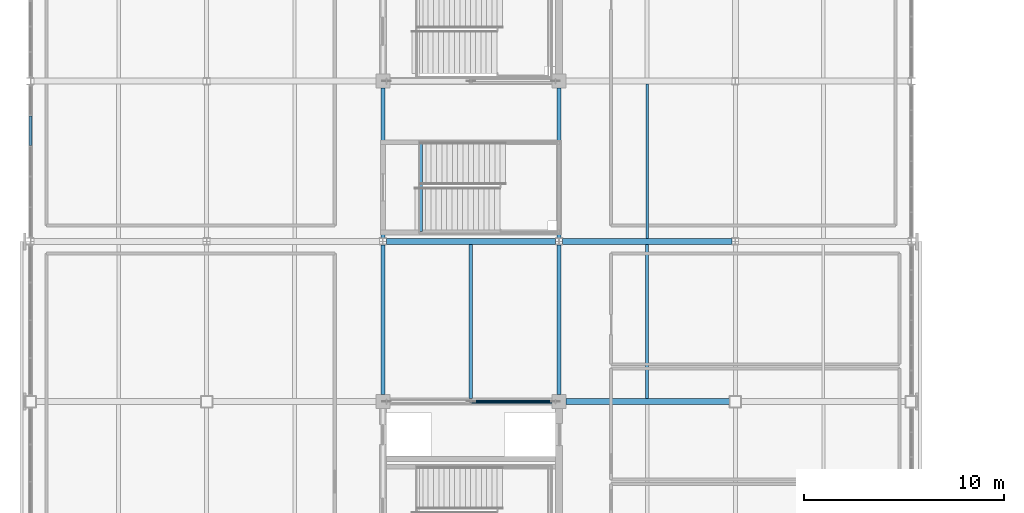
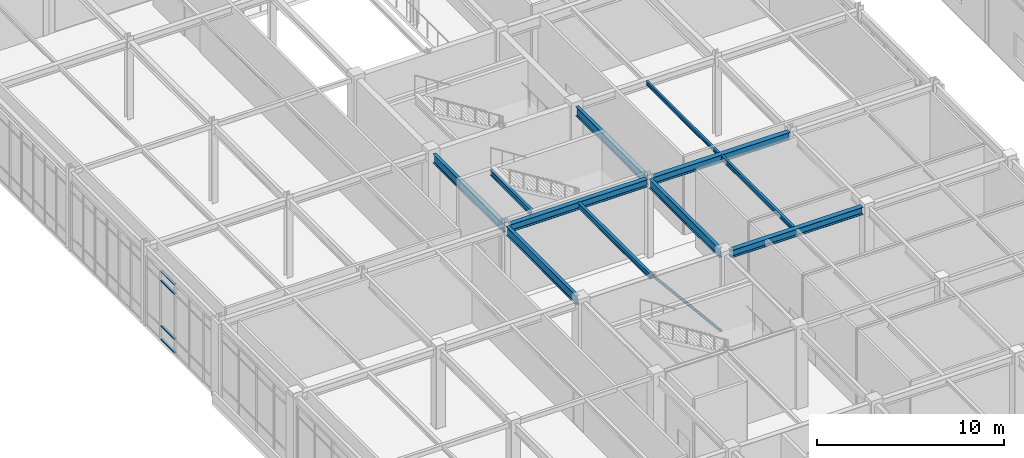
# One storey, part 62 of 184: 11 beams, 5 members, 1 element without a shape of its own.
"""IFC4 building model written with IfcOpenShell, lengths in metres."""

from ifc_helpers import new_model, si_unit, direction, frame, origin, origin_2d, place, context, subcontext, project, spatial, rectangle, hollow_circle, i_section, extrude, material, material_profile, profile_set, type_object, element, aggregate, save


model = new_model("IFC4")

# Units and contexts
model_context = context("Model", 3, precision=1e-05, world=origin(), true_north=direction((0.0, 1.0)))
body_context = subcontext(model_context, "Body", "Model", "MODEL_VIEW")
ifc_project = project(units=[si_unit("LENGTHUNIT", "METRE"), si_unit("AREAUNIT", "SQUARE_METRE"), si_unit("VOLUMEUNIT", "CUBIC_METRE"), si_unit("PLANEANGLEUNIT", "RADIAN"), si_unit("MASSUNIT", "GRAM", prefix="KILO")], contexts=[model_context])

# Site, building, storey
site_placement = place(None, origin())
site = spatial("IfcSite", under=ifc_project, at=site_placement, CompositionType="ELEMENT")
building_placement = place(site_placement, origin())
building = spatial("IfcBuilding", under=site, at=building_placement, Name="Zhaolan Boulevard Law Courts", CompositionType="ELEMENT")
storey_placement = place(building_placement, frame((0.0, 0.0, 5.39990234375)))
storey = spatial("IfcBuildingStorey", under=building, at=storey_placement, Name="L01", CompositionType="ELEMENT", Elevation=5.39990234375)

# Curtain wall, members
ifc_material_1 = material(Name="Thermally broken aluminium and low-E glazing", Category="aluminium")
curtain_wall_type = type_object("IfcCurtainWallType", Name="CURTAIN WALL M11", PredefinedType="USERDEFINED", material=ifc_material_1)
curtain_wall_placement = place(storey_placement, origin())
curtain_wall = element("IfcCurtainWall", 1, at=curtain_wall_placement, inside=storey, type_object=curtain_wall_type, Name="Curtain Wall CW-L01-107", ObjectType="CURTAIN WALL", PredefinedType="USERDEFINED")
ifc_material_2 = material(Name="Fluorocarbon-coated aluminium 6063-T6", Category="aluminium")
ifc_material_profile_1 = material_profile(ifc_material_2, rectangle(XDim=0.139892578125, YDim=0.06494140625, at=origin_2d()), Name="AL65x140")
ifc_profile_set_1 = profile_set([ifc_material_profile_1], Name="Fluorocarbon-coated aluminium 6063-T6")
member_type_1 = type_object("IfcMemberType", Name="CWTRANSOM 65X140", PredefinedType="USERDEFINED", material=ifc_profile_set_1)
member_1_placement = place(storey_placement, frame((0.0, 84.26123046875, 0.03271484375), z_axis=(0.0, -1.0, 0.0), x_axis=(1.0, 0.0, 0.0)))
member_1 = element("IfcMember", 2, at=member_1_placement, type_object=member_type_1, Name="CW-L01-107 transom 2.1", ObjectType="TRANSOM", PredefinedType="USERDEFINED", context=body_context, shape_type="SweptSolid", body=[
    extrude(rectangle(XDim=0.139892578125, YDim=0.06494140625, at=origin_2d()), origin(), (0.0, 0.0, 1.0), 1.464111328125),
])
member_2_placement = place(storey_placement, frame((0.0, 84.26123046875, 0.900146484375), z_axis=(0.0, -1.0, 0.0), x_axis=(1.0, 0.0, 0.0)))
member_2 = element("IfcMember", 3, at=member_2_placement, type_object=member_type_1, Name="CW-L01-107 transom 2.2", ObjectType="TRANSOM", PredefinedType="USERDEFINED", context=body_context, shape_type="SweptSolid", body=[
    extrude(rectangle(XDim=0.139892578125, YDim=0.06494140625, at=origin_2d()), origin(), (0.0, 0.0, 1.0), 1.464111328125),
])
member_3_placement = place(storey_placement, frame((0.0, 84.26123046875, 3.85302734375), z_axis=(0.0, -1.0, 0.0), x_axis=(1.0, 0.0, 0.0)))
member_3 = element("IfcMember", 4, at=member_3_placement, type_object=member_type_1, Name="CW-L01-107 transom 2.3", ObjectType="TRANSOM", PredefinedType="USERDEFINED", context=body_context, shape_type="SweptSolid", body=[
    extrude(rectangle(XDim=0.139892578125, YDim=0.06494140625, at=origin_2d()), origin(), (0.0, 0.0, 1.0), 1.464111328125),
])
member_4_placement = place(storey_placement, frame((0.0, 84.26123046875, 4.470703125), z_axis=(0.0, -1.0, 0.0), x_axis=(1.0, 0.0, 0.0)))
member_4 = element("IfcMember", 5, at=member_4_placement, type_object=member_type_1, Name="CW-L01-107 transom 2.4", ObjectType="TRANSOM", PredefinedType="USERDEFINED", context=body_context, shape_type="SweptSolid", body=[
    extrude(rectangle(XDim=0.139892578125, YDim=0.06494140625, at=origin_2d()), origin(), (0.0, 0.0, 1.0), 1.464111328125),
])
aggregate(curtain_wall, [member_1, member_2, member_3, member_4])

# Beams
ifc_material_3 = material(Name="Structural steel Q355B", Category="steel")
ifc_material_profile_2 = material_profile(ifc_material_3, i_section(OverallWidth=0.300048828125, OverallDepth=0.488037109375, WebThickness=0.010986328125, FlangeThickness=0.01806640625, FilletRadius=0.02197265625, at=origin_2d()), Name="HM488x300")
ifc_profile_set_2 = profile_set([ifc_material_profile_2], Name="Structural steel Q355B")
beam_type_1 = type_object("IfcBeamType", Name="GIRDER HM500", PredefinedType="BEAM", material=ifc_profile_set_2)
beam_1_placement = place(storey_placement, frame((26.74609375, 70.0, 4.89404296875), z_axis=(1.0, 0.0, 0.0), x_axis=(0.0, 1.0, 0.0)))
element("IfcBeam", 6, at=beam_1_placement, inside=storey, type_object=beam_type_1, Name="Beam BX-L02-4-5-K", PredefinedType="BEAM", context=body_context, shape_type="SweptSolid", body=[
    extrude(i_section(OverallWidth=0.300048828125, OverallDepth=0.488037109375, WebThickness=0.010986328125, FlangeThickness=0.01806640625, FilletRadius=0.02197265625, at=origin_2d()), origin(), (0.0, 0.0, 1.0), 8.157958984375),
])
for number, where, z_axis, x_axis, name in (
    (7, (17.77099609375, 78.0, 4.8740234375), (1.0, 0.0, 0.0), (0.0, 1.0, 0.0), "Beam BX-L02-3-4-L"),
    (8, (26.571044921875, 78.0, 4.8740234375), (1.0, 0.0, 0.0), (0.0, 1.0, 0.0), "Beam BX-L02-4-5-L"),
):
    element("IfcBeam", number, at=place(storey_placement, frame(where, z_axis=z_axis, x_axis=x_axis)), inside=storey, type_object=beam_type_1, Name=name, PredefinedType="BEAM", context=body_context, shape_type="SweptSolid", body=[
        extrude(i_section(OverallWidth=0.300048828125, OverallDepth=0.488037109375, WebThickness=0.010986328125, FlangeThickness=0.01806640625, FilletRadius=0.02197265625, at=origin_2d()), origin(), (0.0, 0.0, 1.0), 8.4580078125),
    ])
ifc_material_4 = material(Name="Structural steel Q355B", Category="steel")
ifc_material_profile_3 = material_profile(ifc_material_4, i_section(OverallWidth=0.199951171875, OverallDepth=0.60009765625, WebThickness=0.010986328125, FlangeThickness=0.01708984375, FilletRadius=0.02001953125, at=origin_2d()), Name="HN600x200")
ifc_profile_set_3 = profile_set([ifc_material_profile_3], Name="Structural steel Q355B")
beam_type_2 = type_object("IfcBeamType", Name="GIRDER HN600", PredefinedType="BEAM", material=ifc_profile_set_3)
for number, where, z_axis, x_axis, name in (
    (9, (17.60009765625, 70.345947265625, 4.838134765625), (0.0, 1.0, 0.0), (-1.0, 0.0, 0.0), "Beam BY-L02-3-K-L"),
    (10, (17.60009765625, 78.1708984375, 4.818115234375), (0.0, 1.0, 0.0), (-1.0, 0.0, 0.0), "Beam BY-L02-3-L-M"),
    (11, (26.39990234375, 70.345947265625, 4.838134765625), (0.0, 1.0, 0.0), (-1.0, 0.0, 0.0), "Beam BY-L02-4-K-L"),
    (12, (26.39990234375, 78.1708984375, 4.818115234375), (0.0, 1.0, 0.0), (-1.0, 0.0, 0.0), "Beam BY-L02-4-L-M"),
):
    element("IfcBeam", number, at=place(storey_placement, frame(where, z_axis=z_axis, x_axis=x_axis)), inside=storey, type_object=beam_type_2, Name=name, PredefinedType="BEAM", context=body_context, shape_type="SweptSolid", body=[
        extrude(i_section(OverallWidth=0.199951171875, OverallDepth=0.60009765625, WebThickness=0.010986328125, FlangeThickness=0.01708984375, FilletRadius=0.02001953125, at=origin_2d()), origin(), (0.0, 0.0, 1.0), 7.483154296875),
    ])
ifc_material_5 = material(Name="Structural steel Q355B", Category="steel")
ifc_material_profile_4 = material_profile(ifc_material_5, i_section(OverallWidth=0.125, OverallDepth=0.25, WebThickness=0.006103515625, FlangeThickness=0.009033203125, FilletRadius=0.010009765625, at=origin_2d()), Name="HN250x125")
ifc_profile_set_4 = profile_set([ifc_material_profile_4], Name="Structural steel Q355B")
beam_type_3 = type_object("IfcBeamType", Name="JOIST HN250", PredefinedType="JOIST", material=ifc_profile_set_4)
beam_2_placement = place(storey_placement, frame((30.800048828125, 78.14599609375, 4.9931640625), z_axis=(0.0, 1.0, 0.0), x_axis=(-1.0, 0.0, 0.0)))
element("IfcBeam", 13, at=beam_2_placement, inside=storey, type_object=beam_type_3, Name="Composite Joist J-L02-4L", PredefinedType="JOIST", context=body_context, shape_type="SweptSolid", body=[
    extrude(i_section(OverallWidth=0.125, OverallDepth=0.25, WebThickness=0.006103515625, FlangeThickness=0.009033203125, FilletRadius=0.010009765625, at=origin_2d()), origin(), (0.0, 0.0, 1.0), 7.7080078125),
])
ifc_material_6 = material(Name="Structural steel Q355B", Category="steel")
ifc_material_profile_5 = material_profile(ifc_material_6, i_section(OverallWidth=0.14990234375, OverallDepth=0.300048828125, WebThickness=0.006591796875, FlangeThickness=0.009033203125, FilletRadius=0.010986328125, at=origin_2d()), Name="HN300x150")
ifc_profile_set_5 = profile_set([ifc_material_profile_5], Name="Structural steel Q355B")
beam_type_4 = type_object("IfcBeamType", Name="JOIST HN300", PredefinedType="JOIST", material=ifc_profile_set_5)
beam_3_placement = place(storey_placement, frame((30.800048828125, 70.14599609375, 4.988037109375), z_axis=(0.0, 1.0, 0.0), x_axis=(-1.0, 0.0, 0.0)))
element("IfcBeam", 14, at=beam_3_placement, inside=storey, type_object=beam_type_4, Name="Composite Joist J-L02-4K", PredefinedType="JOIST", context=body_context, shape_type="SweptSolid", body=[
    extrude(i_section(OverallWidth=0.14990234375, OverallDepth=0.300048828125, WebThickness=0.006591796875, FlangeThickness=0.009033203125, FilletRadius=0.010986328125, at=origin_2d()), origin(), (0.0, 0.0, 1.0), 7.7080078125),
])
ifc_material_7 = material(Name="Structural steel Q355B", Category="steel")
ifc_material_profile_6 = material_profile(ifc_material_7, i_section(OverallWidth=0.175048828125, OverallDepth=0.35009765625, WebThickness=0.007080078125, FlangeThickness=0.010986328125, FilletRadius=0.012939453125, at=origin_2d()), Name="HN350x175")
ifc_profile_set_6 = profile_set([ifc_material_profile_6], Name="Structural steel Q355B")
beam_type_5 = type_object("IfcBeamType", Name="JOIST HN350", PredefinedType="JOIST", material=ifc_profile_set_6)
beam_4_placement = place(storey_placement, frame((22.0, 70.14599609375, 4.963134765625), z_axis=(0.0, 1.0, 0.0), x_axis=(-1.0, 0.0, 0.0)))
element("IfcBeam", 15, at=beam_4_placement, inside=storey, type_object=beam_type_5, Name="Composite Joist J-L02-3K", PredefinedType="JOIST", context=body_context, shape_type="SweptSolid", body=[
    extrude(i_section(OverallWidth=0.175048828125, OverallDepth=0.35009765625, WebThickness=0.007080078125, FlangeThickness=0.010986328125, FilletRadius=0.012939453125, at=origin_2d()), origin(), (0.0, 0.0, 1.0), 7.7080078125),
])
ifc_material_8 = material(Name="Structural steel Q355B", Category="steel")
ifc_material_profile_7 = material_profile(ifc_material_8, i_section(OverallWidth=0.175048828125, OverallDepth=0.35009765625, WebThickness=0.007080078125, FlangeThickness=0.010986328125, FilletRadius=0.012939453125, at=origin_2d()), Name="HN350x175")
ifc_profile_set_7 = profile_set([ifc_material_profile_7], Name="Structural steel Q355B")
beam_type_6 = type_object("IfcBeamType", Name="STAIR TRIMMER HN350", PredefinedType="BEAM", material=ifc_profile_set_7)
beam_5_placement = place(storey_placement, frame((19.485107421875, 78.5, 4.93505859375), z_axis=(0.0, 1.0, 0.0), x_axis=(-1.0, 0.0, 0.0)))
element("IfcBeam", 16, at=beam_5_placement, inside=storey, type_object=beam_type_6, Name="Stair Landing Trimmer Beam STB-ST12-L02", PredefinedType="BEAM", context=body_context, shape_type="SweptSolid", body=[
    extrude(i_section(OverallWidth=0.175048828125, OverallDepth=0.35009765625, WebThickness=0.007080078125, FlangeThickness=0.010986328125, FilletRadius=0.012939453125, at=origin_2d()), origin(), (0.0, 0.0, 1.0), 4.39990234375),
])

# Member
ifc_material_9 = material(Name="Structural steel Q355B", Category="steel")
ifc_material_profile_8 = material_profile(ifc_material_9, hollow_circle(Radius=0.083984375, WallThickness=0.008056640625, at=origin_2d()), Name="CHS168x8")
ifc_profile_set_8 = profile_set([ifc_material_profile_8], Name="Structural steel Q355B")
member_type_2 = type_object("IfcMemberType", Name="STRUT CHS168", PredefinedType="BRACE", material=ifc_profile_set_8)
member_5_placement = place(storey_placement, frame((26.219970703125, 70.0, 0.030029296875), z_axis=(-0.638239277889, 0.0, 0.769838050605), x_axis=(0.0, -1.0, 0.0)))
element("IfcMember", 17, at=member_5_placement, inside=storey, type_object=member_type_2, Name="Core Brace BR-W2-L01-N2", PredefinedType="BRACE", context=body_context, shape_type="SweptSolid", body=[
    extrude(hollow_circle(Radius=0.083984375, WallThickness=0.008056640625, at=origin_2d()), origin(), (0.0, 0.0, 1.0), 6.61181640625),
])

save(model, "model.ifc")
